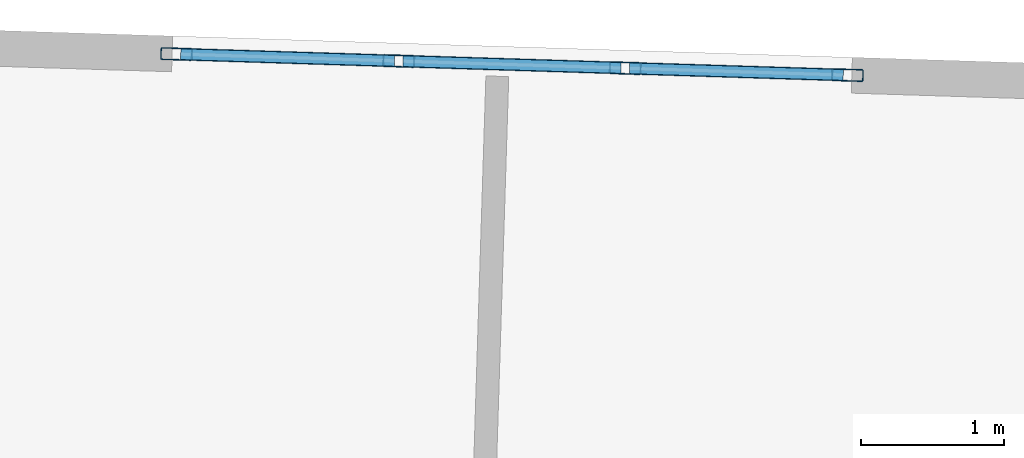
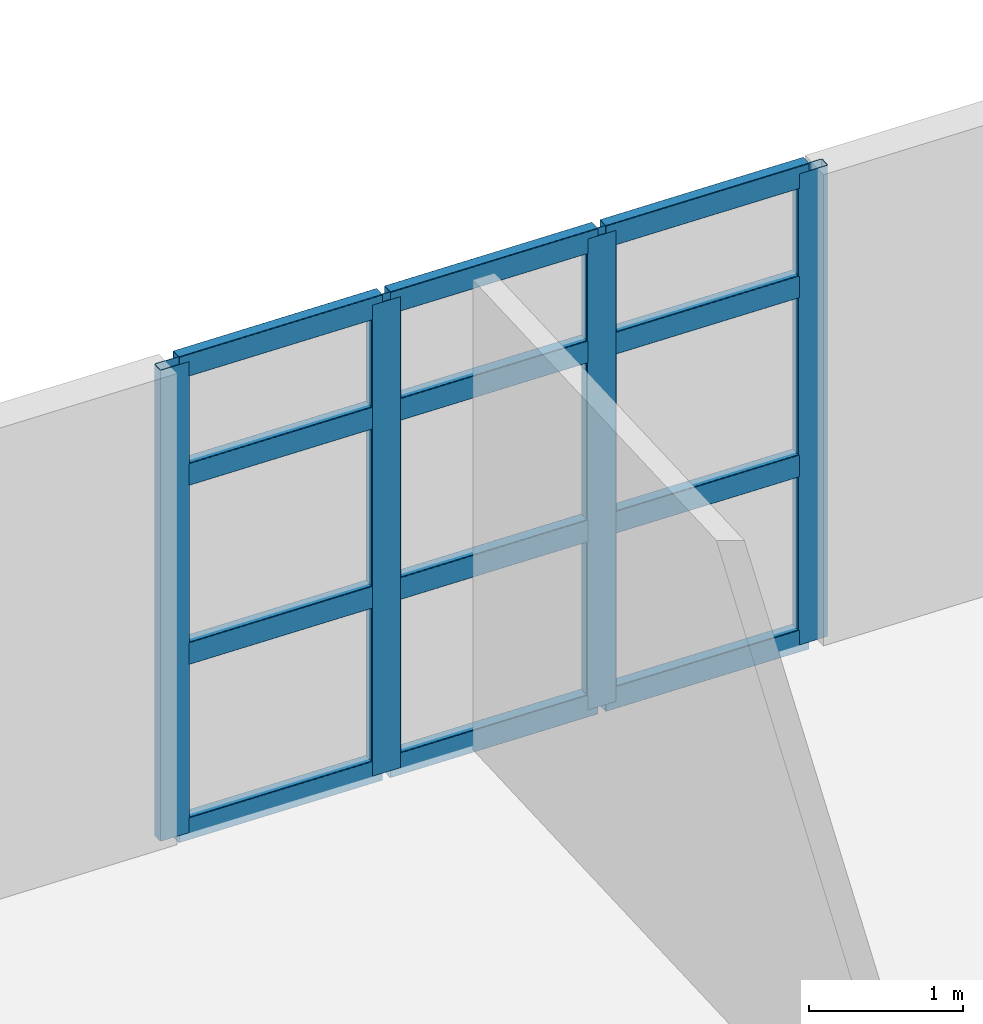
# One storey, part 8 of 14: 16 members, 1 element without a shape of its own.
"""IFC4 building model written with IfcOpenShell, lengths in metres."""

from ifc_helpers import new_model, si_unit, direction, frame, origin, origin_2d, place, context, subcontext, project, spatial, hollow_rectangle, extrude, material, layer, layer_set, material_profile, profile_set, type_object, element, aggregate, save


model = new_model("IFC4")

# Units and contexts
model_context = context("Model", 3, precision=1e-05, world=origin(), true_north=direction((0.0, 1.0)))
body_context = subcontext(model_context, "Body", "Model", "MODEL_VIEW")
ifc_project = project(units=[si_unit("LENGTHUNIT", "METRE"), si_unit("AREAUNIT", "SQUARE_METRE"), si_unit("VOLUMEUNIT", "CUBIC_METRE"), si_unit("PLANEANGLEUNIT", "RADIAN"), si_unit("MASSUNIT", "GRAM", prefix="KILO")], contexts=[model_context])

# Site, building, storey
site_placement = place(None, origin())
site = spatial("IfcSite", under=ifc_project, at=site_placement, CompositionType="ELEMENT")
building_placement = place(site_placement, origin())
building = spatial("IfcBuilding", under=site, at=building_placement, Name="Qingluan Cross Belvedere", CompositionType="ELEMENT")
storey_placement = place(building_placement, frame((0.0, 0.0, 317.39990234375)))
storey = spatial("IfcBuildingStorey", under=building, at=storey_placement, Name="L78", CompositionType="ELEMENT", Elevation=317.39990234375)

# Curtain wall, members
ifc_material_1 = material(Name="Thermally broken aluminium and Low-E glass", Category="aluminium")
ifc_layer = layer(ifc_material_1, 0.219970703125, Name="ObservationCW_BelvedereDeck")
ifc_layer_set = layer_set([ifc_layer], Name="Thermally broken aluminium and Low-E glass")
curtain_wall_type = type_object("IfcCurtainWallType", Name="ObservationCW_BelvedereDeck", PredefinedType="USERDEFINED", material=ifc_layer_set)
curtain_wall_placement = place(storey_placement, origin())
curtain_wall = element("IfcCurtainWall", 1, at=curtain_wall_placement, inside=storey, type_object=curtain_wall_type, Name="ObservationCW_BelvedereDeck run env:cw:L78:N", ObjectType="OBSERVATION GLAZING WALL", PredefinedType="USERDEFINED")
ifc_material_2 = material(Name="Aluminium alloy 6063-T6", Category="aluminium")
ifc_material_profile_1 = material_profile(ifc_material_2, hollow_rectangle(XDim=0.0849609375, YDim=0.219970703125, WallThickness=0.0048828125, InnerFilletRadius=0.0048828125, OuterFilletRadius=0.010009765625, at=origin_2d()), Name="CWM220x85x5")
ifc_profile_set_1 = profile_set([ifc_material_profile_1], Name="Aluminium alloy 6063-T6")
member_type_1 = type_object("IfcMemberType", Name="CWMullion_220", PredefinedType="MULLION", material=ifc_profile_set_1)
member_1_placement = place(storey_placement, frame((2.936767578125, 18.697021484375, 0.0), z_axis=(0.0, 0.0, 1.0), x_axis=(-0.031413301117, -0.999506480476, 0.0)))
member_1 = element("IfcMember", 2, at=member_1_placement, type_object=member_type_1, Name="CW-C3 mullion 1", PredefinedType="MULLION", context=body_context, shape_type="SweptSolid", body=[
    extrude(hollow_rectangle(XDim=0.0849609375, YDim=0.219970703125, WallThickness=0.0048828125, InnerFilletRadius=0.0048828125, OuterFilletRadius=0.010009765625, at=origin_2d()), origin(), (0.0, 0.0, 1.0), 3.72998046875),
])
member_2_placement = place(storey_placement, frame((1.382080078125, 18.745849609375, 0.0), z_axis=(0.0, 0.0, 1.0), x_axis=(-0.031413301117, -0.999506480476, 0.0)))
member_2 = element("IfcMember", 3, at=member_2_placement, type_object=member_type_1, Name="CW-C3 mullion 2", PredefinedType="MULLION", context=body_context, shape_type="SweptSolid", body=[
    extrude(hollow_rectangle(XDim=0.0849609375, YDim=0.219970703125, WallThickness=0.0048828125, InnerFilletRadius=0.0048828125, OuterFilletRadius=0.010009765625, at=origin_2d()), origin(), (0.0, 0.0, 1.0), 3.72998046875),
])
member_3_placement = place(storey_placement, frame((-0.202392578125, 18.795654296875, 0.0), z_axis=(0.0, 0.0, 1.0), x_axis=(-0.031413301117, -0.999506480476, 0.0)))
member_3 = element("IfcMember", 4, at=member_3_placement, type_object=member_type_1, Name="CW-C3 mullion 3", PredefinedType="MULLION", context=body_context, shape_type="SweptSolid", body=[
    extrude(hollow_rectangle(XDim=0.0849609375, YDim=0.219970703125, WallThickness=0.0048828125, InnerFilletRadius=0.0048828125, OuterFilletRadius=0.010009765625, at=origin_2d()), origin(), (0.0, 0.0, 1.0), 3.72998046875),
])
member_4_placement = place(storey_placement, frame((-1.7568359375, 18.844482421875, 0.0), z_axis=(0.0, 0.0, 1.0), x_axis=(-0.031413301117, -0.999506480476, 0.0)))
member_4 = element("IfcMember", 5, at=member_4_placement, type_object=member_type_1, Name="CW-C3 mullion 4", PredefinedType="MULLION", context=body_context, shape_type="SweptSolid", body=[
    extrude(hollow_rectangle(XDim=0.0849609375, YDim=0.219970703125, WallThickness=0.0048828125, InnerFilletRadius=0.0048828125, OuterFilletRadius=0.010009765625, at=origin_2d()), origin(), (0.0, 0.0, 1.0), 3.72998046875),
])
ifc_material_3 = material(Name="Aluminium alloy 6063-T6", Category="aluminium")
ifc_material_profile_2 = material_profile(ifc_material_3, hollow_rectangle(XDim=0.0849609375, YDim=0.179931640625, WallThickness=0.00390625, InnerFilletRadius=0.00390625, OuterFilletRadius=0.008056640625, at=origin_2d()), Name="CWT180x85x4")
ifc_profile_set_2 = profile_set([ifc_material_profile_2], Name="Aluminium alloy 6063-T6")
member_type_2 = type_object("IfcMemberType", Name="CWTransom_180", PredefinedType="USERDEFINED", material=ifc_profile_set_2)
member_5_placement = place(storey_placement, frame((2.90673828125, 18.697998046875, 0.030029296875), z_axis=(-0.999508565572, 0.031346887388, 0.0), x_axis=(-0.031346887388, -0.999508565572, 0.0)))
member_5 = element("IfcMember", 6, at=member_5_placement, type_object=member_type_2, Name="CW-C3 transom 1.1", ObjectType="TRANSOM", PredefinedType="USERDEFINED", context=body_context, shape_type="SweptSolid", body=[
    extrude(hollow_rectangle(XDim=0.0849609375, YDim=0.179931640625, WallThickness=0.00390625, InnerFilletRadius=0.00390625, OuterFilletRadius=0.008056640625, at=origin_2d()), origin(), (0.0, 0.0, 1.0), 1.495361328125),
])
member_6_placement = place(storey_placement, frame((2.90673828125, 18.697998046875, 1.4169921875), z_axis=(-0.999508565572, 0.031346887388, 0.0), x_axis=(-0.031346887388, -0.999508565572, 0.0)))
member_6 = element("IfcMember", 7, at=member_6_placement, type_object=member_type_2, Name="CW-C3 transom 1.2", ObjectType="TRANSOM", PredefinedType="USERDEFINED", context=body_context, shape_type="SweptSolid", body=[
    extrude(hollow_rectangle(XDim=0.0849609375, YDim=0.179931640625, WallThickness=0.00390625, InnerFilletRadius=0.00390625, OuterFilletRadius=0.008056640625, at=origin_2d()), origin(), (0.0, 0.0, 1.0), 1.495361328125),
])
member_7_placement = place(storey_placement, frame((2.90673828125, 18.697998046875, 2.835205078125), z_axis=(-0.999508565572, 0.031346887388, 0.0), x_axis=(-0.031346887388, -0.999508565572, 0.0)))
member_7 = element("IfcMember", 8, at=member_7_placement, type_object=member_type_2, Name="CW-C3 transom 1.3", ObjectType="TRANSOM", PredefinedType="USERDEFINED", context=body_context, shape_type="SweptSolid", body=[
    extrude(hollow_rectangle(XDim=0.0849609375, YDim=0.179931640625, WallThickness=0.00390625, InnerFilletRadius=0.00390625, OuterFilletRadius=0.008056640625, at=origin_2d()), origin(), (0.0, 0.0, 1.0), 1.495361328125),
])
member_8_placement = place(storey_placement, frame((2.90673828125, 18.697998046875, 3.7001953125), z_axis=(-0.999508565572, 0.031346887388, 0.0), x_axis=(-0.031346887388, -0.999508565572, 0.0)))
member_8 = element("IfcMember", 9, at=member_8_placement, type_object=member_type_2, Name="CW-C3 transom 1.4", ObjectType="TRANSOM", PredefinedType="USERDEFINED", context=body_context, shape_type="SweptSolid", body=[
    extrude(hollow_rectangle(XDim=0.0849609375, YDim=0.179931640625, WallThickness=0.00390625, InnerFilletRadius=0.00390625, OuterFilletRadius=0.008056640625, at=origin_2d()), origin(), (0.0, 0.0, 1.0), 1.495361328125),
])
member_9_placement = place(storey_placement, frame((1.352294921875, 18.746826171875, 0.030029296875), z_axis=(-0.99950785105, 0.031369661938, 0.0), x_axis=(-0.031369661938, -0.99950785105, 0.0)))
member_9 = element("IfcMember", 10, at=member_9_placement, type_object=member_type_2, Name="CW-C3 transom 2.1", ObjectType="TRANSOM", PredefinedType="USERDEFINED", context=body_context, shape_type="SweptSolid", body=[
    extrude(hollow_rectangle(XDim=0.0849609375, YDim=0.179931640625, WallThickness=0.00390625, InnerFilletRadius=0.00390625, OuterFilletRadius=0.008056640625, at=origin_2d()), origin(), (0.0, 0.0, 1.0), 1.525390625),
])
member_10_placement = place(storey_placement, frame((1.352294921875, 18.746826171875, 1.4169921875), z_axis=(-0.99950785105, 0.031369661938, 0.0), x_axis=(-0.031369661938, -0.99950785105, 0.0)))
member_10 = element("IfcMember", 11, at=member_10_placement, type_object=member_type_2, Name="CW-C3 transom 2.2", ObjectType="TRANSOM", PredefinedType="USERDEFINED", context=body_context, shape_type="SweptSolid", body=[
    extrude(hollow_rectangle(XDim=0.0849609375, YDim=0.179931640625, WallThickness=0.00390625, InnerFilletRadius=0.00390625, OuterFilletRadius=0.008056640625, at=origin_2d()), origin(), (0.0, 0.0, 1.0), 1.525390625),
])
member_11_placement = place(storey_placement, frame((1.352294921875, 18.746826171875, 2.835205078125), z_axis=(-0.99950785105, 0.031369661938, 0.0), x_axis=(-0.031369661938, -0.99950785105, 0.0)))
member_11 = element("IfcMember", 12, at=member_11_placement, type_object=member_type_2, Name="CW-C3 transom 2.3", ObjectType="TRANSOM", PredefinedType="USERDEFINED", context=body_context, shape_type="SweptSolid", body=[
    extrude(hollow_rectangle(XDim=0.0849609375, YDim=0.179931640625, WallThickness=0.00390625, InnerFilletRadius=0.00390625, OuterFilletRadius=0.008056640625, at=origin_2d()), origin(), (0.0, 0.0, 1.0), 1.525390625),
])
member_12_placement = place(storey_placement, frame((1.352294921875, 18.746826171875, 3.7001953125), z_axis=(-0.99950785105, 0.031369661938, 0.0), x_axis=(-0.031369661938, -0.99950785105, 0.0)))
member_12 = element("IfcMember", 13, at=member_12_placement, type_object=member_type_2, Name="CW-C3 transom 2.4", ObjectType="TRANSOM", PredefinedType="USERDEFINED", context=body_context, shape_type="SweptSolid", body=[
    extrude(hollow_rectangle(XDim=0.0849609375, YDim=0.179931640625, WallThickness=0.00390625, InnerFilletRadius=0.00390625, OuterFilletRadius=0.008056640625, at=origin_2d()), origin(), (0.0, 0.0, 1.0), 1.525390625),
])
member_13_placement = place(storey_placement, frame((-0.232421875, 18.796630859375, 0.030029296875), z_axis=(-0.999508565572, 0.031346887388, 0.0), x_axis=(-0.031346887388, -0.999508565572, 0.0)))
member_13 = element("IfcMember", 14, at=member_13_placement, type_object=member_type_2, Name="CW-C3 transom 3.1", ObjectType="TRANSOM", PredefinedType="USERDEFINED", context=body_context, shape_type="SweptSolid", body=[
    extrude(hollow_rectangle(XDim=0.0849609375, YDim=0.179931640625, WallThickness=0.00390625, InnerFilletRadius=0.00390625, OuterFilletRadius=0.008056640625, at=origin_2d()), origin(), (0.0, 0.0, 1.0), 1.495361328125),
])
member_14_placement = place(storey_placement, frame((-0.232421875, 18.796630859375, 1.4169921875), z_axis=(-0.999508565572, 0.031346887388, 0.0), x_axis=(-0.031346887388, -0.999508565572, 0.0)))
member_14 = element("IfcMember", 15, at=member_14_placement, type_object=member_type_2, Name="CW-C3 transom 3.2", ObjectType="TRANSOM", PredefinedType="USERDEFINED", context=body_context, shape_type="SweptSolid", body=[
    extrude(hollow_rectangle(XDim=0.0849609375, YDim=0.179931640625, WallThickness=0.00390625, InnerFilletRadius=0.00390625, OuterFilletRadius=0.008056640625, at=origin_2d()), origin(), (0.0, 0.0, 1.0), 1.495361328125),
])
member_15_placement = place(storey_placement, frame((-0.232421875, 18.796630859375, 2.835205078125), z_axis=(-0.999508565572, 0.031346887388, 0.0), x_axis=(-0.031346887388, -0.999508565572, 0.0)))
member_15 = element("IfcMember", 16, at=member_15_placement, type_object=member_type_2, Name="CW-C3 transom 3.3", ObjectType="TRANSOM", PredefinedType="USERDEFINED", context=body_context, shape_type="SweptSolid", body=[
    extrude(hollow_rectangle(XDim=0.0849609375, YDim=0.179931640625, WallThickness=0.00390625, InnerFilletRadius=0.00390625, OuterFilletRadius=0.008056640625, at=origin_2d()), origin(), (0.0, 0.0, 1.0), 1.495361328125),
])
member_16_placement = place(storey_placement, frame((-0.232421875, 18.796630859375, 3.7001953125), z_axis=(-0.999508565572, 0.031346887388, 0.0), x_axis=(-0.031346887388, -0.999508565572, 0.0)))
member_16 = element("IfcMember", 17, at=member_16_placement, type_object=member_type_2, Name="CW-C3 transom 3.4", ObjectType="TRANSOM", PredefinedType="USERDEFINED", context=body_context, shape_type="SweptSolid", body=[
    extrude(hollow_rectangle(XDim=0.0849609375, YDim=0.179931640625, WallThickness=0.00390625, InnerFilletRadius=0.00390625, OuterFilletRadius=0.008056640625, at=origin_2d()), origin(), (0.0, 0.0, 1.0), 1.495361328125),
])
aggregate(curtain_wall, [member_1, member_2, member_3, member_4, member_5, member_6, member_7, member_8, member_9, member_10, member_11, member_12, member_13, member_14, member_15, member_16])

save(model, "model.ifc")
